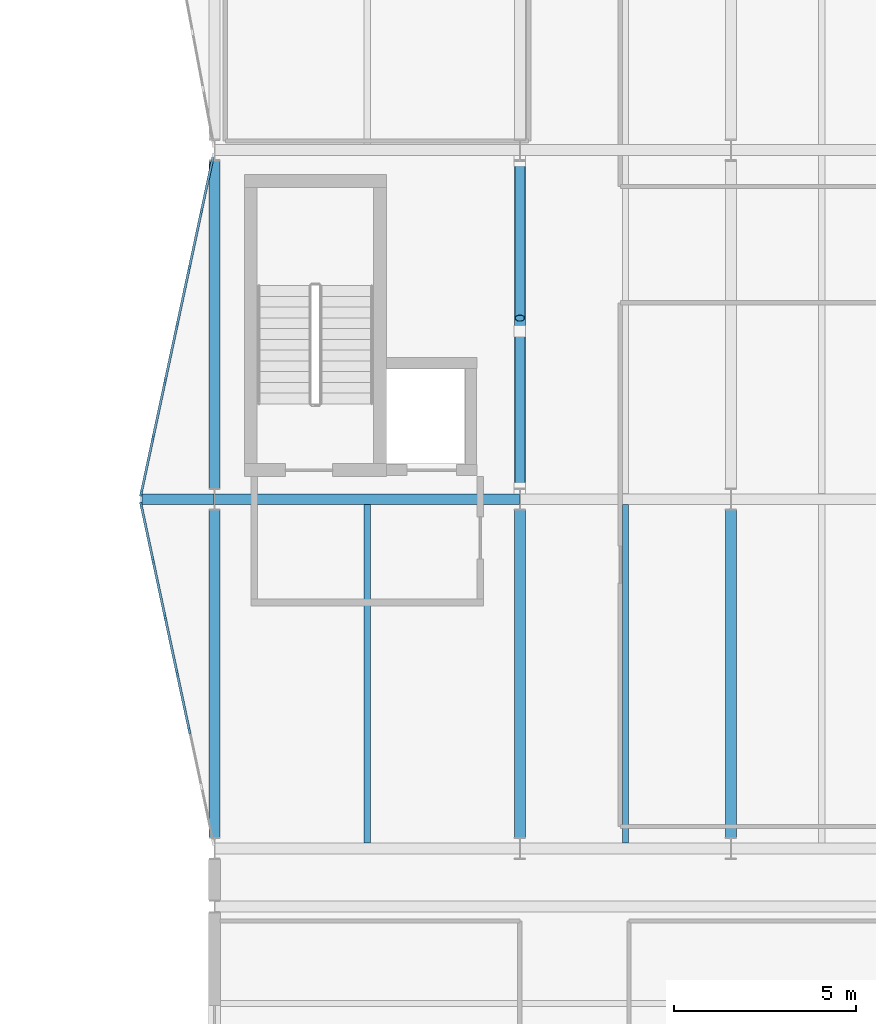
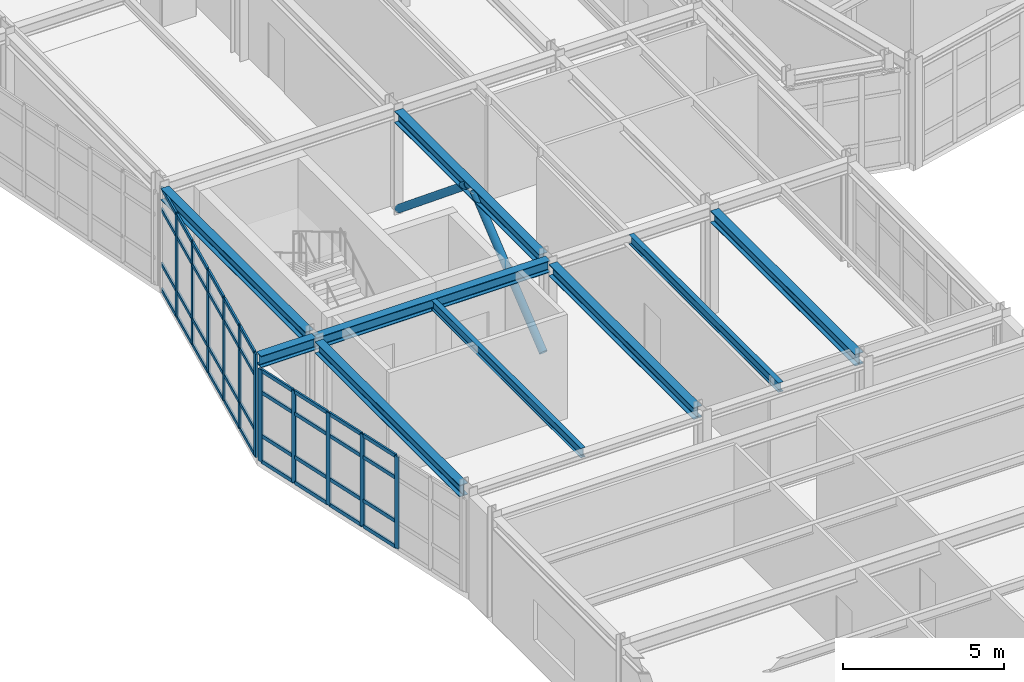
# One storey, part 22 of 99: 53 members, 9 beams, 2 elements without a shape of their own.
"""IFC4 building model written with IfcOpenShell, lengths in metres."""

from ifc_helpers import new_model, si_unit, direction, frame, origin, origin_2d, place, context, subcontext, project, spatial, rectangle, hollow_circle, i_section, extrude, material, layer, layer_set, material_profile, profile_set, type_object, element, aggregate, save


model = new_model("IFC4")

# Units and contexts
model_context = context("Model", 3, precision=1e-05, world=origin(), true_north=direction((0.0, 1.0)))
body_context = subcontext(model_context, "Body", "Model", "MODEL_VIEW")
ifc_project = project(units=[si_unit("LENGTHUNIT", "METRE"), si_unit("AREAUNIT", "SQUARE_METRE"), si_unit("VOLUMEUNIT", "CUBIC_METRE"), si_unit("PLANEANGLEUNIT", "RADIAN"), si_unit("MASSUNIT", "GRAM", prefix="KILO")], contexts=[model_context])

# Site, building, storey
site_placement = place(None, origin())
site = spatial("IfcSite", under=ifc_project, at=site_placement, CompositionType="ELEMENT")
building_placement = place(site_placement, origin())
building = spatial("IfcBuilding", under=site, at=building_placement, Name="Nordkorset Police Headquarters", CompositionType="ELEMENT")
storey_placement = place(building_placement, frame((0.0, 0.0, 5.25)))
storey = spatial("IfcBuildingStorey", under=building, at=storey_placement, Name="L01", CompositionType="ELEMENT", Elevation=5.25)

# Beams
ifc_material_1 = material(Name="Steel S355J2", Category="steel")
ifc_material_profile_1 = material_profile(ifc_material_1, i_section(OverallWidth=0.169921875, OverallDepth=0.360107421875, WebThickness=0.008056640625, FlangeThickness=0.0126953125, FilletRadius=0.01806640625, at=origin_2d()), Name="IPE 360")
ifc_profile_set_1 = profile_set([ifc_material_profile_1], Name="Steel S355J2")
beam_type_1 = type_object("IfcBeamType", Name="Beam_IPE_360", PredefinedType="BEAM", material=ifc_profile_set_1)
for number, where, z_axis, x_axis, name in (
    (1, (4.199951171875, 28.949951171875, 3.780029296875), (0.0, 1.0, 0.0), (-1.0, 0.0, 0.0), "Composite Floor Beam V3 L01 0-0-1"),
    (2, (11.300048828125, 28.949951171875, 3.780029296875), (0.0, 1.0, 0.0), (-1.0, 0.0, 0.0), "Composite Floor Beam V3 L01 1-0-1"),
):
    element("IfcBeam", number, at=place(storey_placement, frame(where, z_axis=z_axis, x_axis=x_axis)), inside=storey, type_object=beam_type_1, Name=name, PredefinedType="BEAM", context=body_context, shape_type="SweptSolid", body=[
        extrude(i_section(OverallWidth=0.169921875, OverallDepth=0.360107421875, WebThickness=0.008056640625, FlangeThickness=0.0126953125, FilletRadius=0.01806640625, at=origin_2d()), origin(), (0.0, 0.0, 1.0), 9.300048828125),
    ])

# Members
ifc_material_2 = material(Name="Steel S355J2", Category="steel")
ifc_material_profile_2 = material_profile(ifc_material_2, hollow_circle(Radius=0.136474609375, WallThickness=0.012451171875, at=origin_2d()), Name="CHS 273x12.5")
ifc_profile_set_2 = profile_set([ifc_material_profile_2], Name="Steel S355J2")
member_type_1 = type_object("IfcMemberType", Name="Brace_CHS_273x12.5", PredefinedType="BRACE", material=ifc_profile_set_2)
for number, where, z_axis, x_axis, name in (
    (3, (8.39990234375, 38.699951171875, 0.199951171875), (0.0, 0.773479928631, 0.633820794866), (-1.0, 0.0, 0.0), "Lateral Chevron Brace BF-V3-A L01 D1"),
    (4, (8.39990234375, 47.699951171875, 0.199951171875), (0.0, -0.773479928631, 0.633820794866), (1.0, 0.0, 0.0), "Lateral Chevron Brace BF-V3-A L01 D2"),
):
    element("IfcMember", number, at=place(storey_placement, frame(where, z_axis=z_axis, x_axis=x_axis)), inside=storey, type_object=member_type_1, Name=name, PredefinedType="BRACE", context=body_context, shape_type="SweptSolid", body=[
        extrude(hollow_circle(Radius=0.136474609375, WallThickness=0.012451171875, at=origin_2d()), origin(), (0.0, 0.0, 1.0), 5.585205078125),
    ])

# Curtain wall, members
ifc_material_3 = material(Name="Aluminium alloy AW-6060", Category="aluminium")
ifc_layer_1 = layer(ifc_material_3, 0.179931640625, Name="Aluminium alloy AW-6060")
ifc_layer_set_1 = layer_set([ifc_layer_1], Name="Aluminium alloy AW-6060")
curtain_wall_type_1 = type_object("IfcCurtainWallType", Name="CW_Unit_954x350", PredefinedType="USERDEFINED", material=ifc_layer_set_1)
curtain_wall_1_placement = place(storey_placement, origin())
curtain_wall_1 = element("IfcCurtainWall", 5, at=curtain_wall_1_placement, inside=storey, type_object=curtain_wall_type_1, Name="Unitised Curtain Wall L01 V3W-0", ObjectType="UNITISED CURTAIN WALL", PredefinedType="USERDEFINED")
ifc_material_4 = material(Name="Aluminium alloy AW-6060", Category="aluminium")
ifc_material_profile_3 = material_profile(ifc_material_4, rectangle(XDim=0.06494140625, YDim=0.179931640625, at=origin_2d()), Name="ALU MULL 65x180")
ifc_profile_set_3 = profile_set([ifc_material_profile_3], Name="Aluminium alloy AW-6060")
member_type_2 = type_object("IfcMemberType", Name="CW_Mullion_65x180", PredefinedType="MULLION", material=ifc_profile_set_3)
member_1_placement = place(storey_placement, frame((-0.693115234375, 32.045654296875, 0.0), z_axis=(0.0, 0.0, 1.0), x_axis=(-0.977951416289, -0.208832534289, 0.0)))
member_1 = element("IfcMember", 6, at=member_1_placement, type_object=member_type_2, Name="CW-63 mullion 3", PredefinedType="MULLION", context=body_context, shape_type="SweptSolid", body=[
    extrude(rectangle(XDim=0.06494140625, YDim=0.179931640625, at=origin_2d()), origin(), (0.0, 0.0, 1.0), 3.5),
])
member_2_placement = place(storey_placement, frame((-1.02490234375, 33.60009765625, 0.0), z_axis=(0.0, 0.0, 1.0), x_axis=(-0.977951416289, -0.208832534289, 0.0)))
member_2 = element("IfcMember", 7, at=member_2_placement, type_object=member_type_2, Name="CW-63 mullion 4", PredefinedType="MULLION", context=body_context, shape_type="SweptSolid", body=[
    extrude(rectangle(XDim=0.06494140625, YDim=0.179931640625, at=origin_2d()), origin(), (0.0, 0.0, 1.0), 3.5),
])
member_3_placement = place(storey_placement, frame((-1.35693359375, 35.154296875, 0.0), z_axis=(0.0, 0.0, 1.0), x_axis=(-0.977951416289, -0.208832534289, 0.0)))
member_3 = element("IfcMember", 8, at=member_3_placement, type_object=member_type_2, Name="CW-63 mullion 5", PredefinedType="MULLION", context=body_context, shape_type="SweptSolid", body=[
    extrude(rectangle(XDim=0.06494140625, YDim=0.179931640625, at=origin_2d()), origin(), (0.0, 0.0, 1.0), 3.5),
])
member_4_placement = place(storey_placement, frame((-1.688720703125, 36.708740234375, 0.0), z_axis=(0.0, 0.0, 1.0), x_axis=(-0.977951416289, -0.208832534289, 0.0)))
member_4 = element("IfcMember", 9, at=member_4_placement, type_object=member_type_2, Name="CW-63 mullion 6", PredefinedType="MULLION", context=body_context, shape_type="SweptSolid", body=[
    extrude(rectangle(XDim=0.06494140625, YDim=0.179931640625, at=origin_2d()), origin(), (0.0, 0.0, 1.0), 3.5),
])
member_5_placement = place(storey_placement, frame((-2.013916015625, 38.231201171875, 0.0), z_axis=(0.0, 0.0, 1.0), x_axis=(-0.977951416289, -0.208832534289, 0.0)))
member_5 = element("IfcMember", 10, at=member_5_placement, type_object=member_type_2, Name="CW-63 mullion 7", PredefinedType="MULLION", context=body_context, shape_type="SweptSolid", body=[
    extrude(rectangle(XDim=0.06494140625, YDim=0.179931640625, at=origin_2d()), origin(), (0.0, 0.0, 1.0), 3.5),
])

ifc_material_5 = material(Name="Aluminium alloy AW-6060", Category="aluminium")
ifc_layer_2 = layer(ifc_material_5, 0.179931640625, Name="Aluminium alloy AW-6060")
ifc_layer_set_2 = layer_set([ifc_layer_2], Name="Aluminium alloy AW-6060")
curtain_wall_type_2 = type_object("IfcCurtainWallType", Name="CW_Unit_954x392", PredefinedType="USERDEFINED", material=ifc_layer_set_2)
curtain_wall_2_placement = place(storey_placement, origin())
curtain_wall_2 = element("IfcCurtainWall", 11, at=curtain_wall_2_placement, inside=storey, type_object=curtain_wall_type_2, Name="Unitised Curtain Wall L01 V3W-1", ObjectType="UNITISED CURTAIN WALL", PredefinedType="USERDEFINED")
member_6_placement = place(storey_placement, frame((-2.013916015625, 38.568603515625, 0.0), z_axis=(0.0, 0.0, 1.0), x_axis=(-0.977951416289, 0.208832534289, 0.0)))
member_6 = element("IfcMember", 12, at=member_6_placement, type_object=member_type_2, Name="CW-20 mullion 1", PredefinedType="MULLION", context=body_context, shape_type="SweptSolid", body=[
    extrude(rectangle(XDim=0.06494140625, YDim=0.179931640625, at=origin_2d()), origin(), (0.0, 0.0, 1.0), 3.919921875),
])
member_7_placement = place(storey_placement, frame((-1.688720703125, 40.09130859375, 0.0), z_axis=(0.0, 0.0, 1.0), x_axis=(-0.977951416289, 0.208832534289, 0.0)))
member_7 = element("IfcMember", 13, at=member_7_placement, type_object=member_type_2, Name="CW-20 mullion 2", PredefinedType="MULLION", context=body_context, shape_type="SweptSolid", body=[
    extrude(rectangle(XDim=0.06494140625, YDim=0.179931640625, at=origin_2d()), origin(), (0.0, 0.0, 1.0), 3.919921875),
])
member_8_placement = place(storey_placement, frame((-1.35693359375, 41.645751953125, 0.0), z_axis=(0.0, 0.0, 1.0), x_axis=(-0.977951416289, 0.208832534289, 0.0)))
member_8 = element("IfcMember", 14, at=member_8_placement, type_object=member_type_2, Name="CW-20 mullion 3", PredefinedType="MULLION", context=body_context, shape_type="SweptSolid", body=[
    extrude(rectangle(XDim=0.06494140625, YDim=0.179931640625, at=origin_2d()), origin(), (0.0, 0.0, 1.0), 3.919921875),
])
member_9_placement = place(storey_placement, frame((-1.02490234375, 43.199951171875, 0.0), z_axis=(0.0, 0.0, 1.0), x_axis=(-0.977951416289, 0.208832534289, 0.0)))
member_9 = element("IfcMember", 15, at=member_9_placement, type_object=member_type_2, Name="CW-20 mullion 4", PredefinedType="MULLION", context=body_context, shape_type="SweptSolid", body=[
    extrude(rectangle(XDim=0.06494140625, YDim=0.179931640625, at=origin_2d()), origin(), (0.0, 0.0, 1.0), 3.919921875),
])
member_10_placement = place(storey_placement, frame((-0.693115234375, 44.75439453125, 0.0), z_axis=(0.0, 0.0, 1.0), x_axis=(-0.977951416289, 0.208832534289, 0.0)))
member_10 = element("IfcMember", 16, at=member_10_placement, type_object=member_type_2, Name="CW-20 mullion 5", PredefinedType="MULLION", context=body_context, shape_type="SweptSolid", body=[
    extrude(rectangle(XDim=0.06494140625, YDim=0.179931640625, at=origin_2d()), origin(), (0.0, 0.0, 1.0), 3.919921875),
])
member_11_placement = place(storey_placement, frame((-0.361083984375, 46.308837890625, 0.0), z_axis=(0.0, 0.0, 1.0), x_axis=(-0.977951416289, 0.208832534289, 0.0)))
member_11 = element("IfcMember", 17, at=member_11_placement, type_object=member_type_2, Name="CW-20 mullion 6", PredefinedType="MULLION", context=body_context, shape_type="SweptSolid", body=[
    extrude(rectangle(XDim=0.06494140625, YDim=0.179931640625, at=origin_2d()), origin(), (0.0, 0.0, 1.0), 3.919921875),
])

# Member
ifc_material_6 = material(Name="Aluminium alloy AW-6060", Category="aluminium")
ifc_material_profile_4 = material_profile(ifc_material_6, rectangle(XDim=0.06494140625, YDim=0.139892578125, at=origin_2d()), Name="ALU TRAN 65x140")
ifc_profile_set_4 = profile_set([ifc_material_profile_4], Name="Aluminium alloy AW-6060")
member_type_3 = type_object("IfcMemberType", Name="CW_Transom_65x140", PredefinedType="USERDEFINED", material=ifc_profile_set_4)
member_12_placement = place(storey_placement, frame((-0.699951171875, 32.077392578125, 0.032470703125), z_axis=(-0.208850890154, 0.977947496383, 0.0), x_axis=(-0.977947496383, -0.208850890154, 0.0)))
member_12 = element("IfcMember", 18, at=member_12_placement, type_object=member_type_3, Name="CW-63 transom 3.1", ObjectType="TRANSOM", PredefinedType="USERDEFINED", context=body_context, shape_type="SweptSolid", body=[
    extrude(rectangle(XDim=0.06494140625, YDim=0.139892578125, at=origin_2d()), origin(), (0.0, 0.0, 1.0), 1.5244140625),
])

member_13_placement = place(storey_placement, frame((-0.699951171875, 32.077392578125, 1.0), z_axis=(-0.208850890154, 0.977947496383, 0.0), x_axis=(-0.977947496383, -0.208850890154, 0.0)))
member_13 = element("IfcMember", 19, at=member_13_placement, type_object=member_type_3, Name="CW-63 transom 3.2", ObjectType="TRANSOM", PredefinedType="USERDEFINED", context=body_context, shape_type="SweptSolid", body=[
    extrude(rectangle(XDim=0.06494140625, YDim=0.139892578125, at=origin_2d()), origin(), (0.0, 0.0, 1.0), 1.5244140625),
])

member_14_placement = place(storey_placement, frame((-0.699951171875, 32.077392578125, 2.64990234375), z_axis=(-0.208850890154, 0.977947496383, 0.0), x_axis=(-0.977947496383, -0.208850890154, 0.0)))
member_14 = element("IfcMember", 20, at=member_14_placement, type_object=member_type_3, Name="CW-63 transom 3.3", ObjectType="TRANSOM", PredefinedType="USERDEFINED", context=body_context, shape_type="SweptSolid", body=[
    extrude(rectangle(XDim=0.06494140625, YDim=0.139892578125, at=origin_2d()), origin(), (0.0, 0.0, 1.0), 1.5244140625),
])

member_15_placement = place(storey_placement, frame((-0.699951171875, 32.077392578125, 3.467529296875), z_axis=(-0.208850890154, 0.977947496383, 0.0), x_axis=(-0.977947496383, -0.208850890154, 0.0)))
member_15 = element("IfcMember", 21, at=member_15_placement, type_object=member_type_3, Name="CW-63 transom 3.4", ObjectType="TRANSOM", PredefinedType="USERDEFINED", context=body_context, shape_type="SweptSolid", body=[
    extrude(rectangle(XDim=0.06494140625, YDim=0.139892578125, at=origin_2d()), origin(), (0.0, 0.0, 1.0), 1.5244140625),
])

member_16_placement = place(storey_placement, frame((-1.03173828125, 33.6318359375, 0.032470703125), z_axis=(-0.208850890154, 0.977947496383, 0.0), x_axis=(-0.977947496383, -0.208850890154, 0.0)))
member_16 = element("IfcMember", 22, at=member_16_placement, type_object=member_type_3, Name="CW-63 transom 4.1", ObjectType="TRANSOM", PredefinedType="USERDEFINED", context=body_context, shape_type="SweptSolid", body=[
    extrude(rectangle(XDim=0.06494140625, YDim=0.139892578125, at=origin_2d()), origin(), (0.0, 0.0, 1.0), 1.5244140625),
])

member_17_placement = place(storey_placement, frame((-1.03173828125, 33.6318359375, 1.0), z_axis=(-0.208850890154, 0.977947496383, 0.0), x_axis=(-0.977947496383, -0.208850890154, 0.0)))
member_17 = element("IfcMember", 23, at=member_17_placement, type_object=member_type_3, Name="CW-63 transom 4.2", ObjectType="TRANSOM", PredefinedType="USERDEFINED", context=body_context, shape_type="SweptSolid", body=[
    extrude(rectangle(XDim=0.06494140625, YDim=0.139892578125, at=origin_2d()), origin(), (0.0, 0.0, 1.0), 1.5244140625),
])

member_18_placement = place(storey_placement, frame((-1.03173828125, 33.6318359375, 2.64990234375), z_axis=(-0.208850890154, 0.977947496383, 0.0), x_axis=(-0.977947496383, -0.208850890154, 0.0)))
member_18 = element("IfcMember", 24, at=member_18_placement, type_object=member_type_3, Name="CW-63 transom 4.3", ObjectType="TRANSOM", PredefinedType="USERDEFINED", context=body_context, shape_type="SweptSolid", body=[
    extrude(rectangle(XDim=0.06494140625, YDim=0.139892578125, at=origin_2d()), origin(), (0.0, 0.0, 1.0), 1.5244140625),
])

member_19_placement = place(storey_placement, frame((-1.03173828125, 33.6318359375, 3.467529296875), z_axis=(-0.208850890154, 0.977947496383, 0.0), x_axis=(-0.977947496383, -0.208850890154, 0.0)))
member_19 = element("IfcMember", 25, at=member_19_placement, type_object=member_type_3, Name="CW-63 transom 4.4", ObjectType="TRANSOM", PredefinedType="USERDEFINED", context=body_context, shape_type="SweptSolid", body=[
    extrude(rectangle(XDim=0.06494140625, YDim=0.139892578125, at=origin_2d()), origin(), (0.0, 0.0, 1.0), 1.5244140625),
])

member_20_placement = place(storey_placement, frame((-1.36376953125, 35.18603515625, 0.032470703125), z_axis=(-0.208818182896, 0.977954480787, 0.0), x_axis=(-0.977954480787, -0.208818182896, 0.0)))
member_20 = element("IfcMember", 26, at=member_20_placement, type_object=member_type_3, Name="CW-63 transom 5.1", ObjectType="TRANSOM", PredefinedType="USERDEFINED", context=body_context, shape_type="SweptSolid", body=[
    extrude(rectangle(XDim=0.06494140625, YDim=0.139892578125, at=origin_2d()), origin(), (0.0, 0.0, 1.0), 1.524658203125),
])

member_21_placement = place(storey_placement, frame((-1.36376953125, 35.18603515625, 1.0), z_axis=(-0.208818182896, 0.977954480787, 0.0), x_axis=(-0.977954480787, -0.208818182896, 0.0)))
member_21 = element("IfcMember", 27, at=member_21_placement, type_object=member_type_3, Name="CW-63 transom 5.2", ObjectType="TRANSOM", PredefinedType="USERDEFINED", context=body_context, shape_type="SweptSolid", body=[
    extrude(rectangle(XDim=0.06494140625, YDim=0.139892578125, at=origin_2d()), origin(), (0.0, 0.0, 1.0), 1.524658203125),
])

member_22_placement = place(storey_placement, frame((-1.36376953125, 35.18603515625, 2.64990234375), z_axis=(-0.208818182896, 0.977954480787, 0.0), x_axis=(-0.977954480787, -0.208818182896, 0.0)))
member_22 = element("IfcMember", 28, at=member_22_placement, type_object=member_type_3, Name="CW-63 transom 5.3", ObjectType="TRANSOM", PredefinedType="USERDEFINED", context=body_context, shape_type="SweptSolid", body=[
    extrude(rectangle(XDim=0.06494140625, YDim=0.139892578125, at=origin_2d()), origin(), (0.0, 0.0, 1.0), 1.524658203125),
])

member_23_placement = place(storey_placement, frame((-1.36376953125, 35.18603515625, 3.467529296875), z_axis=(-0.208818182896, 0.977954480787, 0.0), x_axis=(-0.977954480787, -0.208818182896, 0.0)))
member_23 = element("IfcMember", 29, at=member_23_placement, type_object=member_type_3, Name="CW-63 transom 5.4", ObjectType="TRANSOM", PredefinedType="USERDEFINED", context=body_context, shape_type="SweptSolid", body=[
    extrude(rectangle(XDim=0.06494140625, YDim=0.139892578125, at=origin_2d()), origin(), (0.0, 0.0, 1.0), 1.524658203125),
])

member_24_placement = place(storey_placement, frame((-1.695556640625, 36.740478515625, 0.032470703125), z_axis=(-0.208813774846, 0.977955422008, 0.0), x_axis=(-0.977955422008, -0.208813774846, 0.0)))
member_24 = element("IfcMember", 30, at=member_24_placement, type_object=member_type_3, Name="CW-63 transom 6.1", ObjectType="TRANSOM", PredefinedType="USERDEFINED", context=body_context, shape_type="SweptSolid", body=[
    extrude(rectangle(XDim=0.06494140625, YDim=0.139892578125, at=origin_2d()), origin(), (0.0, 0.0, 1.0), 1.491943359375),
])

member_25_placement = place(storey_placement, frame((-1.695556640625, 36.740478515625, 1.0), z_axis=(-0.208813774846, 0.977955422008, 0.0), x_axis=(-0.977955422008, -0.208813774846, 0.0)))
member_25 = element("IfcMember", 31, at=member_25_placement, type_object=member_type_3, Name="CW-63 transom 6.2", ObjectType="TRANSOM", PredefinedType="USERDEFINED", context=body_context, shape_type="SweptSolid", body=[
    extrude(rectangle(XDim=0.06494140625, YDim=0.139892578125, at=origin_2d()), origin(), (0.0, 0.0, 1.0), 1.491943359375),
])

member_26_placement = place(storey_placement, frame((-1.695556640625, 36.740478515625, 2.64990234375), z_axis=(-0.208813774846, 0.977955422008, 0.0), x_axis=(-0.977955422008, -0.208813774846, 0.0)))
member_26 = element("IfcMember", 32, at=member_26_placement, type_object=member_type_3, Name="CW-63 transom 6.3", ObjectType="TRANSOM", PredefinedType="USERDEFINED", context=body_context, shape_type="SweptSolid", body=[
    extrude(rectangle(XDim=0.06494140625, YDim=0.139892578125, at=origin_2d()), origin(), (0.0, 0.0, 1.0), 1.491943359375),
])

member_27_placement = place(storey_placement, frame((-1.695556640625, 36.740478515625, 3.467529296875), z_axis=(-0.208813774846, 0.977955422008, 0.0), x_axis=(-0.977955422008, -0.208813774846, 0.0)))
member_27 = element("IfcMember", 33, at=member_27_placement, type_object=member_type_3, Name="CW-63 transom 6.4", ObjectType="TRANSOM", PredefinedType="USERDEFINED", context=body_context, shape_type="SweptSolid", body=[
    extrude(rectangle(XDim=0.06494140625, YDim=0.139892578125, at=origin_2d()), origin(), (0.0, 0.0, 1.0), 1.491943359375),
])

aggregate(curtain_wall_1, [member_1, member_2, member_3, member_4, member_5, member_12, member_13, member_14, member_15, member_16, member_17, member_18, member_19, member_20, member_21, member_22, member_23, member_24, member_25, member_26, member_27])

member_28_placement = place(storey_placement, frame((-2.007080078125, 38.6005859375, 0.032470703125), z_axis=(0.208813774846, 0.977955422008, 0.0), x_axis=(-0.977955422008, 0.208813774846, 0.0)))
member_28 = element("IfcMember", 34, at=member_28_placement, type_object=member_type_3, Name="CW-20 transom 1.1", ObjectType="TRANSOM", PredefinedType="USERDEFINED", context=body_context, shape_type="SweptSolid", body=[
    extrude(rectangle(XDim=0.06494140625, YDim=0.139892578125, at=origin_2d()), origin(), (0.0, 0.0, 1.0), 1.491943359375),
])

member_29_placement = place(storey_placement, frame((-2.007080078125, 38.6005859375, 1.0), z_axis=(0.208813774846, 0.977955422008, 0.0), x_axis=(-0.977955422008, 0.208813774846, 0.0)))
member_29 = element("IfcMember", 35, at=member_29_placement, type_object=member_type_3, Name="CW-20 transom 1.2", ObjectType="TRANSOM", PredefinedType="USERDEFINED", context=body_context, shape_type="SweptSolid", body=[
    extrude(rectangle(XDim=0.06494140625, YDim=0.139892578125, at=origin_2d()), origin(), (0.0, 0.0, 1.0), 1.491943359375),
])

member_30_placement = place(storey_placement, frame((-2.007080078125, 38.6005859375, 3.070068359375), z_axis=(0.208813774846, 0.977955422008, 0.0), x_axis=(-0.977955422008, 0.208813774846, 0.0)))
member_30 = element("IfcMember", 36, at=member_30_placement, type_object=member_type_3, Name="CW-20 transom 1.3", ObjectType="TRANSOM", PredefinedType="USERDEFINED", context=body_context, shape_type="SweptSolid", body=[
    extrude(rectangle(XDim=0.06494140625, YDim=0.139892578125, at=origin_2d()), origin(), (0.0, 0.0, 1.0), 1.491943359375),
])

member_31_placement = place(storey_placement, frame((-2.007080078125, 38.6005859375, 3.887451171875), z_axis=(0.208813774846, 0.977955422008, 0.0), x_axis=(-0.977955422008, 0.208813774846, 0.0)))
member_31 = element("IfcMember", 37, at=member_31_placement, type_object=member_type_3, Name="CW-20 transom 1.4", ObjectType="TRANSOM", PredefinedType="USERDEFINED", context=body_context, shape_type="SweptSolid", body=[
    extrude(rectangle(XDim=0.06494140625, YDim=0.139892578125, at=origin_2d()), origin(), (0.0, 0.0, 1.0), 1.491943359375),
])

member_32_placement = place(storey_placement, frame((-1.68212890625, 40.123046875, 0.032470703125), z_axis=(0.208850890154, 0.977947496383, 0.0), x_axis=(-0.977947496383, 0.208850890154, 0.0)))
member_32 = element("IfcMember", 38, at=member_32_placement, type_object=member_type_3, Name="CW-20 transom 2.1", ObjectType="TRANSOM", PredefinedType="USERDEFINED", context=body_context, shape_type="SweptSolid", body=[
    extrude(rectangle(XDim=0.06494140625, YDim=0.139892578125, at=origin_2d()), origin(), (0.0, 0.0, 1.0), 1.5244140625),
])

member_33_placement = place(storey_placement, frame((-1.68212890625, 40.123046875, 1.0), z_axis=(0.208850890154, 0.977947496383, 0.0), x_axis=(-0.977947496383, 0.208850890154, 0.0)))
member_33 = element("IfcMember", 39, at=member_33_placement, type_object=member_type_3, Name="CW-20 transom 2.2", ObjectType="TRANSOM", PredefinedType="USERDEFINED", context=body_context, shape_type="SweptSolid", body=[
    extrude(rectangle(XDim=0.06494140625, YDim=0.139892578125, at=origin_2d()), origin(), (0.0, 0.0, 1.0), 1.5244140625),
])

member_34_placement = place(storey_placement, frame((-1.68212890625, 40.123046875, 3.070068359375), z_axis=(0.208850890154, 0.977947496383, 0.0), x_axis=(-0.977947496383, 0.208850890154, 0.0)))
member_34 = element("IfcMember", 40, at=member_34_placement, type_object=member_type_3, Name="CW-20 transom 2.3", ObjectType="TRANSOM", PredefinedType="USERDEFINED", context=body_context, shape_type="SweptSolid", body=[
    extrude(rectangle(XDim=0.06494140625, YDim=0.139892578125, at=origin_2d()), origin(), (0.0, 0.0, 1.0), 1.5244140625),
])

member_35_placement = place(storey_placement, frame((-1.68212890625, 40.123046875, 3.887451171875), z_axis=(0.208850890154, 0.977947496383, 0.0), x_axis=(-0.977947496383, 0.208850890154, 0.0)))
member_35 = element("IfcMember", 41, at=member_35_placement, type_object=member_type_3, Name="CW-20 transom 2.4", ObjectType="TRANSOM", PredefinedType="USERDEFINED", context=body_context, shape_type="SweptSolid", body=[
    extrude(rectangle(XDim=0.06494140625, YDim=0.139892578125, at=origin_2d()), origin(), (0.0, 0.0, 1.0), 1.5244140625),
])

member_36_placement = place(storey_placement, frame((-1.35009765625, 41.677490234375, 0.032470703125), z_axis=(0.208850890154, 0.977947496383, 0.0), x_axis=(-0.977947496383, 0.208850890154, 0.0)))
member_36 = element("IfcMember", 42, at=member_36_placement, type_object=member_type_3, Name="CW-20 transom 3.1", ObjectType="TRANSOM", PredefinedType="USERDEFINED", context=body_context, shape_type="SweptSolid", body=[
    extrude(rectangle(XDim=0.06494140625, YDim=0.139892578125, at=origin_2d()), origin(), (0.0, 0.0, 1.0), 1.5244140625),
])

member_37_placement = place(storey_placement, frame((-1.35009765625, 41.677490234375, 1.0), z_axis=(0.208850890154, 0.977947496383, 0.0), x_axis=(-0.977947496383, 0.208850890154, 0.0)))
member_37 = element("IfcMember", 43, at=member_37_placement, type_object=member_type_3, Name="CW-20 transom 3.2", ObjectType="TRANSOM", PredefinedType="USERDEFINED", context=body_context, shape_type="SweptSolid", body=[
    extrude(rectangle(XDim=0.06494140625, YDim=0.139892578125, at=origin_2d()), origin(), (0.0, 0.0, 1.0), 1.5244140625),
])

member_38_placement = place(storey_placement, frame((-1.35009765625, 41.677490234375, 3.070068359375), z_axis=(0.208850890154, 0.977947496383, 0.0), x_axis=(-0.977947496383, 0.208850890154, 0.0)))
member_38 = element("IfcMember", 44, at=member_38_placement, type_object=member_type_3, Name="CW-20 transom 3.3", ObjectType="TRANSOM", PredefinedType="USERDEFINED", context=body_context, shape_type="SweptSolid", body=[
    extrude(rectangle(XDim=0.06494140625, YDim=0.139892578125, at=origin_2d()), origin(), (0.0, 0.0, 1.0), 1.5244140625),
])

member_39_placement = place(storey_placement, frame((-1.35009765625, 41.677490234375, 3.887451171875), z_axis=(0.208850890154, 0.977947496383, 0.0), x_axis=(-0.977947496383, 0.208850890154, 0.0)))
member_39 = element("IfcMember", 45, at=member_39_placement, type_object=member_type_3, Name="CW-20 transom 3.4", ObjectType="TRANSOM", PredefinedType="USERDEFINED", context=body_context, shape_type="SweptSolid", body=[
    extrude(rectangle(XDim=0.06494140625, YDim=0.139892578125, at=origin_2d()), origin(), (0.0, 0.0, 1.0), 1.5244140625),
])

member_40_placement = place(storey_placement, frame((-1.018310546875, 43.231689453125, 0.032470703125), z_axis=(0.208818182896, 0.977954480787, 0.0), x_axis=(-0.977954480787, 0.208818182896, 0.0)))
member_40 = element("IfcMember", 46, at=member_40_placement, type_object=member_type_3, Name="CW-20 transom 4.1", ObjectType="TRANSOM", PredefinedType="USERDEFINED", context=body_context, shape_type="SweptSolid", body=[
    extrude(rectangle(XDim=0.06494140625, YDim=0.139892578125, at=origin_2d()), origin(), (0.0, 0.0, 1.0), 1.524658203125),
])

member_41_placement = place(storey_placement, frame((-1.018310546875, 43.231689453125, 1.0), z_axis=(0.208818182896, 0.977954480787, 0.0), x_axis=(-0.977954480787, 0.208818182896, 0.0)))
member_41 = element("IfcMember", 47, at=member_41_placement, type_object=member_type_3, Name="CW-20 transom 4.2", ObjectType="TRANSOM", PredefinedType="USERDEFINED", context=body_context, shape_type="SweptSolid", body=[
    extrude(rectangle(XDim=0.06494140625, YDim=0.139892578125, at=origin_2d()), origin(), (0.0, 0.0, 1.0), 1.524658203125),
])

member_42_placement = place(storey_placement, frame((-1.018310546875, 43.231689453125, 3.070068359375), z_axis=(0.208818182896, 0.977954480787, 0.0), x_axis=(-0.977954480787, 0.208818182896, 0.0)))
member_42 = element("IfcMember", 48, at=member_42_placement, type_object=member_type_3, Name="CW-20 transom 4.3", ObjectType="TRANSOM", PredefinedType="USERDEFINED", context=body_context, shape_type="SweptSolid", body=[
    extrude(rectangle(XDim=0.06494140625, YDim=0.139892578125, at=origin_2d()), origin(), (0.0, 0.0, 1.0), 1.524658203125),
])

member_43_placement = place(storey_placement, frame((-1.018310546875, 43.231689453125, 3.887451171875), z_axis=(0.208818182896, 0.977954480787, 0.0), x_axis=(-0.977954480787, 0.208818182896, 0.0)))
member_43 = element("IfcMember", 49, at=member_43_placement, type_object=member_type_3, Name="CW-20 transom 4.4", ObjectType="TRANSOM", PredefinedType="USERDEFINED", context=body_context, shape_type="SweptSolid", body=[
    extrude(rectangle(XDim=0.06494140625, YDim=0.139892578125, at=origin_2d()), origin(), (0.0, 0.0, 1.0), 1.524658203125),
])

member_44_placement = place(storey_placement, frame((-0.686279296875, 44.7861328125, 0.032470703125), z_axis=(0.208850890154, 0.977947496383, 0.0), x_axis=(-0.977947496383, 0.208850890154, 0.0)))
member_44 = element("IfcMember", 50, at=member_44_placement, type_object=member_type_3, Name="CW-20 transom 5.1", ObjectType="TRANSOM", PredefinedType="USERDEFINED", context=body_context, shape_type="SweptSolid", body=[
    extrude(rectangle(XDim=0.06494140625, YDim=0.139892578125, at=origin_2d()), origin(), (0.0, 0.0, 1.0), 1.5244140625),
])

member_45_placement = place(storey_placement, frame((-0.686279296875, 44.7861328125, 1.0), z_axis=(0.208850890154, 0.977947496383, 0.0), x_axis=(-0.977947496383, 0.208850890154, 0.0)))
member_45 = element("IfcMember", 51, at=member_45_placement, type_object=member_type_3, Name="CW-20 transom 5.2", ObjectType="TRANSOM", PredefinedType="USERDEFINED", context=body_context, shape_type="SweptSolid", body=[
    extrude(rectangle(XDim=0.06494140625, YDim=0.139892578125, at=origin_2d()), origin(), (0.0, 0.0, 1.0), 1.5244140625),
])

member_46_placement = place(storey_placement, frame((-0.686279296875, 44.7861328125, 3.070068359375), z_axis=(0.208850890154, 0.977947496383, 0.0), x_axis=(-0.977947496383, 0.208850890154, 0.0)))
member_46 = element("IfcMember", 52, at=member_46_placement, type_object=member_type_3, Name="CW-20 transom 5.3", ObjectType="TRANSOM", PredefinedType="USERDEFINED", context=body_context, shape_type="SweptSolid", body=[
    extrude(rectangle(XDim=0.06494140625, YDim=0.139892578125, at=origin_2d()), origin(), (0.0, 0.0, 1.0), 1.5244140625),
])

member_47_placement = place(storey_placement, frame((-0.686279296875, 44.7861328125, 3.887451171875), z_axis=(0.208850890154, 0.977947496383, 0.0), x_axis=(-0.977947496383, 0.208850890154, 0.0)))
member_47 = element("IfcMember", 53, at=member_47_placement, type_object=member_type_3, Name="CW-20 transom 5.4", ObjectType="TRANSOM", PredefinedType="USERDEFINED", context=body_context, shape_type="SweptSolid", body=[
    extrude(rectangle(XDim=0.06494140625, YDim=0.139892578125, at=origin_2d()), origin(), (0.0, 0.0, 1.0), 1.5244140625),
])

member_48_placement = place(storey_placement, frame((-0.3544921875, 46.340576171875, 0.032470703125), z_axis=(0.208970278443, 0.977921992148, 0.0), x_axis=(-0.977921992148, 0.208970278443, 0.0)))
member_48 = element("IfcMember", 54, at=member_48_placement, type_object=member_type_3, Name="CW-20 transom 6.1", ObjectType="TRANSOM", PredefinedType="USERDEFINED", context=body_context, shape_type="SweptSolid", body=[
    extrude(rectangle(XDim=0.06494140625, YDim=0.139892578125, at=origin_2d()), origin(), (0.0, 0.0, 1.0), 1.491943359375),
])

member_49_placement = place(storey_placement, frame((-0.3544921875, 46.340576171875, 1.0), z_axis=(0.208970278443, 0.977921992148, 0.0), x_axis=(-0.977921992148, 0.208970278443, 0.0)))
member_49 = element("IfcMember", 55, at=member_49_placement, type_object=member_type_3, Name="CW-20 transom 6.2", ObjectType="TRANSOM", PredefinedType="USERDEFINED", context=body_context, shape_type="SweptSolid", body=[
    extrude(rectangle(XDim=0.06494140625, YDim=0.139892578125, at=origin_2d()), origin(), (0.0, 0.0, 1.0), 1.491943359375),
])

member_50_placement = place(storey_placement, frame((-0.3544921875, 46.340576171875, 3.070068359375), z_axis=(0.208970278443, 0.977921992148, 0.0), x_axis=(-0.977921992148, 0.208970278443, 0.0)))
member_50 = element("IfcMember", 56, at=member_50_placement, type_object=member_type_3, Name="CW-20 transom 6.3", ObjectType="TRANSOM", PredefinedType="USERDEFINED", context=body_context, shape_type="SweptSolid", body=[
    extrude(rectangle(XDim=0.06494140625, YDim=0.139892578125, at=origin_2d()), origin(), (0.0, 0.0, 1.0), 1.491943359375),
])

member_51_placement = place(storey_placement, frame((-0.3544921875, 46.340576171875, 3.887451171875), z_axis=(0.208970278443, 0.977921992148, 0.0), x_axis=(-0.977921992148, 0.208970278443, 0.0)))
member_51 = element("IfcMember", 57, at=member_51_placement, type_object=member_type_3, Name="CW-20 transom 6.4", ObjectType="TRANSOM", PredefinedType="USERDEFINED", context=body_context, shape_type="SweptSolid", body=[
    extrude(rectangle(XDim=0.06494140625, YDim=0.139892578125, at=origin_2d()), origin(), (0.0, 0.0, 1.0), 1.491943359375),
])

aggregate(curtain_wall_2, [member_6, member_7, member_8, member_9, member_10, member_11, member_28, member_29, member_30, member_31, member_32, member_33, member_34, member_35, member_36, member_37, member_38, member_39, member_40, member_41, member_42, member_43, member_44, member_45, member_46, member_47, member_48, member_49, member_50, member_51])

# Beams
ifc_material_7 = material(Name="Steel S355J2", Category="steel")
ifc_material_profile_5 = material_profile(ifc_material_7, i_section(OverallWidth=0.300048828125, OverallDepth=0.43994140625, WebThickness=0.011474609375, FlangeThickness=0.02099609375, FilletRadius=0.027099609375, at=origin_2d()), Name="HEA 450")
ifc_profile_set_5 = profile_set([ifc_material_profile_5], Name="Steel S355J2")
beam_type_2 = type_object("IfcBeamType", Name="Girder_HEA_450", PredefinedType="USERDEFINED", material=ifc_profile_set_5)
beam_1_placement = place(storey_placement, frame((0.0078125, 38.39990234375, 3.739990234375), z_axis=(1.0, 0.0, 0.0), x_axis=(0.0, 1.0, 0.0)))
element("IfcBeam", 58, at=beam_1_placement, inside=storey, type_object=beam_type_2, Name="Girder V3 L01 GX-1-0", ObjectType="GIRDER", PredefinedType="USERDEFINED", context=body_context, shape_type="SweptSolid", body=[
    extrude(i_section(OverallWidth=0.300048828125, OverallDepth=0.43994140625, WebThickness=0.011474609375, FlangeThickness=0.02099609375, FilletRadius=0.027099609375, at=origin_2d()), origin(), (0.0, 0.0, 1.0), 8.384521484375),
])
for number, where, z_axis, x_axis, name in (
    (59, (0.0, 29.10009765625, 3.739990234375), (0.0, 1.0, 0.0), (-1.0, 0.0, 0.0), "Girder V3 L01 GY-0-0"),
    (60, (0.0, 38.699951171875, 3.739990234375), (0.0, 1.0, 0.0), (-1.0, 0.0, 0.0), "Girder V3 L01 GY-0-1"),
    (61, (8.39990234375, 29.10009765625, 3.739990234375), (0.0, 1.0, 0.0), (-1.0, 0.0, 0.0), "Girder V3 L01 GY-1-0"),
    (62, (8.39990234375, 38.699951171875, 3.739990234375), (0.0, 1.0, 0.0), (-1.0, 0.0, 0.0), "Girder V3 L01 GY-1-1"),
    (63, (14.199951171875, 29.10009765625, 3.739990234375), (0.0, 1.0, 0.0), (-1.0, 0.0, 0.0), "Girder V3 L01 GY-2-0"),
):
    element("IfcBeam", number, at=place(storey_placement, frame(where, z_axis=z_axis, x_axis=x_axis)), inside=storey, type_object=beam_type_2, Name=name, ObjectType="GIRDER", PredefinedType="USERDEFINED", context=body_context, shape_type="SweptSolid", body=[
        extrude(i_section(OverallWidth=0.300048828125, OverallDepth=0.43994140625, WebThickness=0.011474609375, FlangeThickness=0.02099609375, FilletRadius=0.027099609375, at=origin_2d()), origin(), (0.0, 0.0, 1.0), 9.0),
    ])
beam_2_placement = place(storey_placement, frame((-0.0078125, 38.39990234375, 3.739990234375), z_axis=(-1.0, 0.0, 0.0), x_axis=(0.0, -1.0, 0.0)))
element("IfcBeam", 64, at=beam_2_placement, inside=storey, type_object=beam_type_2, Name="Sawtooth Facade Outrigger V3 L01 38", ObjectType="GIRDER", PredefinedType="USERDEFINED", context=body_context, shape_type="SweptSolid", body=[
    extrude(i_section(OverallWidth=0.300048828125, OverallDepth=0.43994140625, WebThickness=0.011474609375, FlangeThickness=0.02099609375, FilletRadius=0.027099609375, at=origin_2d()), origin(), (0.0, 0.0, 1.0), 1.982177734375),
])

save(model, "model.ifc")
